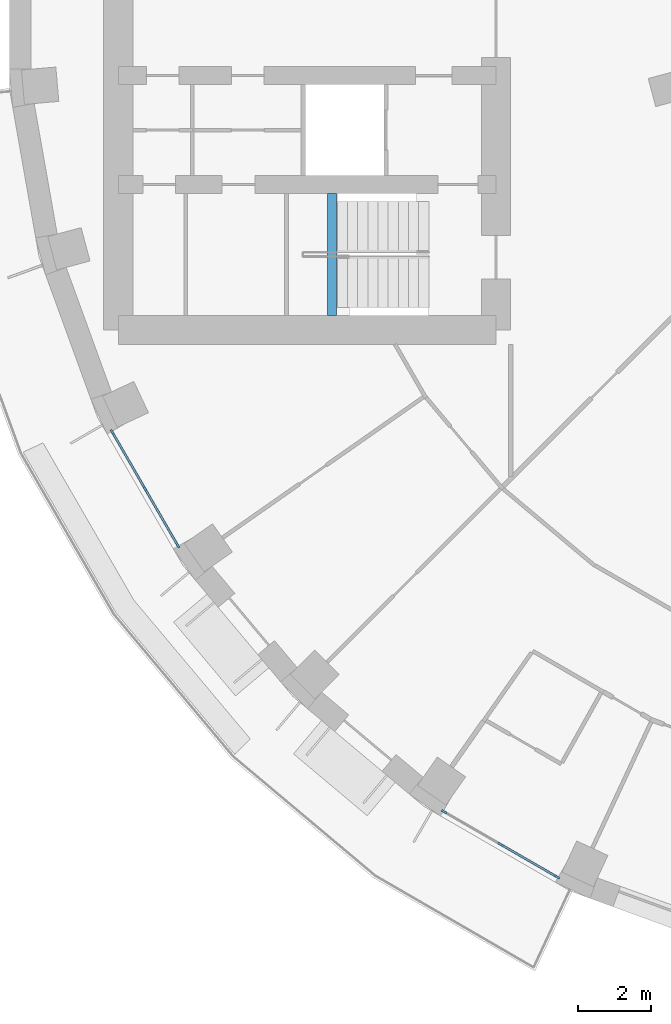
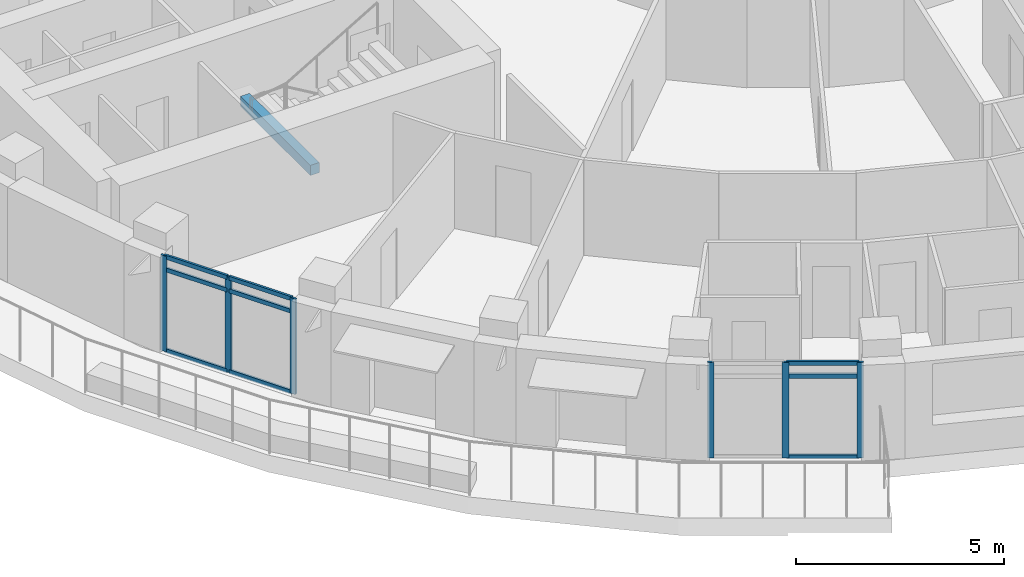
# One storey, part 2 of 16: 15 members, 1 beam, 2 elements without a shape of their own.
"""IFC4 building model written with IfcOpenShell, lengths in metres."""

from ifc_helpers import new_model, si_unit, direction, frame, origin, origin_2d, place, context, subcontext, project, spatial, rectangle, extrude, material, layer, layer_set, material_profile, profile_set, type_object, element, aggregate, save


model = new_model("IFC4")

# Units and contexts
model_context = context("Model", 3, precision=1e-05, world=origin(), true_north=direction((0.0, 1.0)))
body_context = subcontext(model_context, "Body", "Model", "MODEL_VIEW")
ifc_project = project(units=[si_unit("LENGTHUNIT", "METRE"), si_unit("AREAUNIT", "SQUARE_METRE"), si_unit("VOLUMEUNIT", "CUBIC_METRE"), si_unit("PLANEANGLEUNIT", "RADIAN"), si_unit("MASSUNIT", "GRAM", prefix="KILO")], contexts=[model_context])

# Site, building, storey
site_placement = place(None, origin())
site = spatial("IfcSite", under=ifc_project, at=site_placement, CompositionType="ELEMENT")
building_placement = place(site_placement, origin())
building = spatial("IfcBuilding", under=site, at=building_placement, Name="Saqina Gate Tower", CompositionType="ELEMENT")
storey_placement = place(building_placement, frame((0.0, 0.0, 121.60009765625)))
storey = spatial("IfcBuildingStorey", under=building, at=storey_placement, Name="L34", CompositionType="ELEMENT", Elevation=121.60009765625)

# Curtain wall, members
ifc_material_1 = material(Name="Aluminium glazing", Category="aluminium")
ifc_layer = layer(ifc_material_1, 0.159912109375)
ifc_layer_set = layer_set([ifc_layer], Name="CWT-4")
curtain_wall_type = type_object("IfcCurtainWallType", Name="CWT-4", PredefinedType="NOTDEFINED", material=ifc_layer_set)
curtain_wall_1_placement = place(storey_placement, origin())
curtain_wall_1 = element("IfcCurtainWall", 1, at=curtain_wall_1_placement, inside=storey, type_object=curtain_wall_type, Name="Terrace lounge glazing facet 21", PredefinedType="NOTDEFINED")
ifc_material_2 = material(Name="Aluminium", Category="aluminium")
ifc_material_profile_1 = material_profile(ifc_material_2, rectangle(XDim=0.06005859375, YDim=0.159912109375, at=origin_2d()), Name="Aluminium 60x160")
ifc_profile_set_1 = profile_set([ifc_material_profile_1], Name="Aluminium")
member_type_1 = type_object("IfcMemberType", Name="CWT-4M", PredefinedType="MULLION", material=ifc_profile_set_1)
member_1_placement = place(storey_placement, frame((-24.060791015625, -11.820068359375, 0.0), z_axis=(0.0, 0.0, 1.0), x_axis=(0.86602626266, 0.499998512381, 0.0)))
member_1 = element("IfcMember", 2, at=member_1_placement, type_object=member_type_1, Name="CW4-21 mullion 1", PredefinedType="MULLION", context=body_context, shape_type="SweptSolid", body=[
    extrude(rectangle(XDim=0.06005859375, YDim=0.159912109375, at=origin_2d()), origin(), (0.0, 0.0, 1.0), 2.7998046875),
])
member_2_placement = place(storey_placement, frame((-23.163818359375, -13.37353515625, 0.0), z_axis=(0.0, 0.0, 1.0), x_axis=(0.86602626266, 0.499998512381, 0.0)))
member_2 = element("IfcMember", 3, at=member_2_placement, type_object=member_type_1, Name="CW4-21 mullion 2", PredefinedType="MULLION", context=body_context, shape_type="SweptSolid", body=[
    extrude(rectangle(XDim=0.06005859375, YDim=0.159912109375, at=origin_2d()), origin(), (0.0, 0.0, 1.0), 2.7998046875),
])
member_3_placement = place(storey_placement, frame((-22.266845703125, -14.92724609375, 0.0), z_axis=(0.0, 0.0, 1.0), x_axis=(0.86602626266, 0.499998512381, 0.0)))
member_3 = element("IfcMember", 4, at=member_3_placement, type_object=member_type_1, Name="CW4-21 mullion 3", PredefinedType="MULLION", context=body_context, shape_type="SweptSolid", body=[
    extrude(rectangle(XDim=0.06005859375, YDim=0.159912109375, at=origin_2d()), origin(), (0.0, 0.0, 1.0), 2.7998046875),
])

curtain_wall_2_placement = place(storey_placement, origin())
curtain_wall_2 = element("IfcCurtainWall", 5, at=curtain_wall_2_placement, inside=storey, type_object=curtain_wall_type, Name="Terrace lounge glazing facet 24", PredefinedType="NOTDEFINED")
member_4_placement = place(storey_placement, frame((-14.92724609375, -22.266845703125, 0.0), z_axis=(0.0, 0.0, 1.0), x_axis=(0.499998512381, 0.86602626266, 0.0)))
member_4 = element("IfcMember", 6, at=member_4_placement, type_object=member_type_1, Name="CW4-24 mullion 1", PredefinedType="MULLION", context=body_context, shape_type="SweptSolid", body=[
    extrude(rectangle(XDim=0.06005859375, YDim=0.159912109375, at=origin_2d()), origin(), (0.0, 0.0, 1.0), 2.7998046875),
])
member_5_placement = place(storey_placement, frame((-13.37353515625, -23.163818359375, 0.0), z_axis=(0.0, 0.0, 1.0), x_axis=(0.499998512381, 0.86602626266, 0.0)))
member_5 = element("IfcMember", 7, at=member_5_placement, type_object=member_type_1, Name="CW4-24 mullion 2", PredefinedType="MULLION", context=body_context, shape_type="SweptSolid", body=[
    extrude(rectangle(XDim=0.06005859375, YDim=0.159912109375, at=origin_2d()), origin(), (0.0, 0.0, 1.0), 2.7998046875),
])
member_6_placement = place(storey_placement, frame((-11.820068359375, -24.060791015625, 0.0), z_axis=(0.0, 0.0, 1.0), x_axis=(0.499998512381, 0.86602626266, 0.0)))
member_6 = element("IfcMember", 8, at=member_6_placement, type_object=member_type_1, Name="CW4-24 mullion 3", PredefinedType="MULLION", context=body_context, shape_type="SweptSolid", body=[
    extrude(rectangle(XDim=0.06005859375, YDim=0.159912109375, at=origin_2d()), origin(), (0.0, 0.0, 1.0), 2.7998046875),
])

# Member
ifc_material_3 = material(Name="Aluminium", Category="aluminium")
ifc_material_profile_2 = material_profile(ifc_material_3, rectangle(XDim=0.06005859375, YDim=0.1201171875, at=origin_2d()), Name="Aluminium 60x120")
ifc_profile_set_2 = profile_set([ifc_material_profile_2], Name="Aluminium")
member_type_2 = type_object("IfcMemberType", Name="CWT-4T", PredefinedType="USERDEFINED", material=ifc_profile_set_2)
member_7_placement = place(storey_placement, frame((-24.0458984375, -11.845947265625, 0.02978515625), z_axis=(0.49997027332, -0.866042565811, 0.0), x_axis=(0.866042565811, 0.49997027332, 0.0)))
member_7 = element("IfcMember", 9, at=member_7_placement, type_object=member_type_2, Name="CW4-21 transom 1.1", ObjectType="TRANSOM", PredefinedType="USERDEFINED", context=body_context, shape_type="SweptSolid", body=[
    extrude(rectangle(XDim=0.06005859375, YDim=0.1201171875, at=origin_2d()), origin(), (0.0, 0.0, 1.0), 1.73388671875),
])

member_8_placement = place(storey_placement, frame((-24.0458984375, -11.845947265625, 2.39990234375), z_axis=(0.49997027332, -0.866042565811, 0.0), x_axis=(0.866042565811, 0.49997027332, 0.0)))
member_8 = element("IfcMember", 10, at=member_8_placement, type_object=member_type_2, Name="CW4-21 transom 1.2", ObjectType="TRANSOM", PredefinedType="USERDEFINED", context=body_context, shape_type="SweptSolid", body=[
    extrude(rectangle(XDim=0.06005859375, YDim=0.1201171875, at=origin_2d()), origin(), (0.0, 0.0, 1.0), 1.73388671875),
])

member_9_placement = place(storey_placement, frame((-24.0458984375, -11.845947265625, 2.77001953125), z_axis=(0.49997027332, -0.866042565811, 0.0), x_axis=(0.866042565811, 0.49997027332, 0.0)))
member_9 = element("IfcMember", 11, at=member_9_placement, type_object=member_type_2, Name="CW4-21 transom 1.3", ObjectType="TRANSOM", PredefinedType="USERDEFINED", context=body_context, shape_type="SweptSolid", body=[
    extrude(rectangle(XDim=0.06005859375, YDim=0.1201171875, at=origin_2d()), origin(), (0.0, 0.0, 1.0), 1.73388671875),
])

member_10_placement = place(storey_placement, frame((-23.14892578125, -13.399658203125, 0.02978515625), z_axis=(0.500031244004, -0.866007364299, 0.0), x_axis=(0.866007364299, 0.500031244004, 0.0)))
member_10 = element("IfcMember", 12, at=member_10_placement, type_object=member_type_2, Name="CW4-21 transom 2.1", ObjectType="TRANSOM", PredefinedType="USERDEFINED", context=body_context, shape_type="SweptSolid", body=[
    extrude(rectangle(XDim=0.06005859375, YDim=0.1201171875, at=origin_2d()), origin(), (0.0, 0.0, 1.0), 1.73388671875),
])

member_11_placement = place(storey_placement, frame((-23.14892578125, -13.399658203125, 2.39990234375), z_axis=(0.500031244004, -0.866007364299, 0.0), x_axis=(0.866007364299, 0.500031244004, 0.0)))
member_11 = element("IfcMember", 13, at=member_11_placement, type_object=member_type_2, Name="CW4-21 transom 2.2", ObjectType="TRANSOM", PredefinedType="USERDEFINED", context=body_context, shape_type="SweptSolid", body=[
    extrude(rectangle(XDim=0.06005859375, YDim=0.1201171875, at=origin_2d()), origin(), (0.0, 0.0, 1.0), 1.73388671875),
])

member_12_placement = place(storey_placement, frame((-23.14892578125, -13.399658203125, 2.77001953125), z_axis=(0.500031244004, -0.866007364299, 0.0), x_axis=(0.866007364299, 0.500031244004, 0.0)))
member_12 = element("IfcMember", 14, at=member_12_placement, type_object=member_type_2, Name="CW4-21 transom 2.3", ObjectType="TRANSOM", PredefinedType="USERDEFINED", context=body_context, shape_type="SweptSolid", body=[
    extrude(rectangle(XDim=0.06005859375, YDim=0.1201171875, at=origin_2d()), origin(), (0.0, 0.0, 1.0), 1.73388671875),
])

aggregate(curtain_wall_1, [member_1, member_2, member_3, member_7, member_8, member_9, member_10, member_11, member_12])

member_13_placement = place(storey_placement, frame((-13.34765625, -23.178955078125, 0.02978515625), z_axis=(0.866042565811, -0.49997027332, 0.0), x_axis=(0.49997027332, 0.866042565811, 0.0)))
member_13 = element("IfcMember", 15, at=member_13_placement, type_object=member_type_2, Name="CW4-24 transom 2.1", ObjectType="TRANSOM", PredefinedType="USERDEFINED", context=body_context, shape_type="SweptSolid", body=[
    extrude(rectangle(XDim=0.06005859375, YDim=0.1201171875, at=origin_2d()), origin(), (0.0, 0.0, 1.0), 1.73388671875),
])

member_14_placement = place(storey_placement, frame((-13.34765625, -23.178955078125, 2.39990234375), z_axis=(0.866042565811, -0.49997027332, 0.0), x_axis=(0.49997027332, 0.866042565811, 0.0)))
member_14 = element("IfcMember", 16, at=member_14_placement, type_object=member_type_2, Name="CW4-24 transom 2.2", ObjectType="TRANSOM", PredefinedType="USERDEFINED", context=body_context, shape_type="SweptSolid", body=[
    extrude(rectangle(XDim=0.06005859375, YDim=0.1201171875, at=origin_2d()), origin(), (0.0, 0.0, 1.0), 1.73388671875),
])

member_15_placement = place(storey_placement, frame((-13.34765625, -23.178955078125, 2.77001953125), z_axis=(0.866042565811, -0.49997027332, 0.0), x_axis=(0.49997027332, 0.866042565811, 0.0)))
member_15 = element("IfcMember", 17, at=member_15_placement, type_object=member_type_2, Name="CW4-24 transom 2.3", ObjectType="TRANSOM", PredefinedType="USERDEFINED", context=body_context, shape_type="SweptSolid", body=[
    extrude(rectangle(XDim=0.06005859375, YDim=0.1201171875, at=origin_2d()), origin(), (0.0, 0.0, 1.0), 1.73388671875),
])

aggregate(curtain_wall_2, [member_4, member_5, member_6, member_13, member_14, member_15])

# Beam
ifc_material_4 = material(Name="Concrete C40/50", Category="concrete")
ifc_material_profile_3 = material_profile(ifc_material_4, rectangle(XDim=0.25, YDim=0.300048828125, at=origin_2d()), Name="STAIR LANDING BEAM")
ifc_profile_set_3 = profile_set([ifc_material_profile_3], Name="Concrete C40/50")
beam_type = type_object("IfcBeamType", Name="STAIR LANDING BEAM", PredefinedType="BEAM", material=ifc_profile_set_3)
beam_placement = place(storey_placement, frame((-18.02001953125, -8.60009765625, 1.25), z_axis=(0.0, 1.0, 0.0), x_axis=(-1.0, 0.0, 0.0)))
element("IfcBeam", 18, at=beam_placement, inside=storey, type_object=beam_type, Name="EXIT STAIR 4 LANDING BEAM", PredefinedType="BEAM", context=body_context, shape_type="SweptSolid", body=[
    extrude(rectangle(XDim=0.25, YDim=0.300048828125, at=origin_2d()), origin(), (0.0, 0.0, 1.0), 3.35009765625),
])

save(model, "model.ifc")
